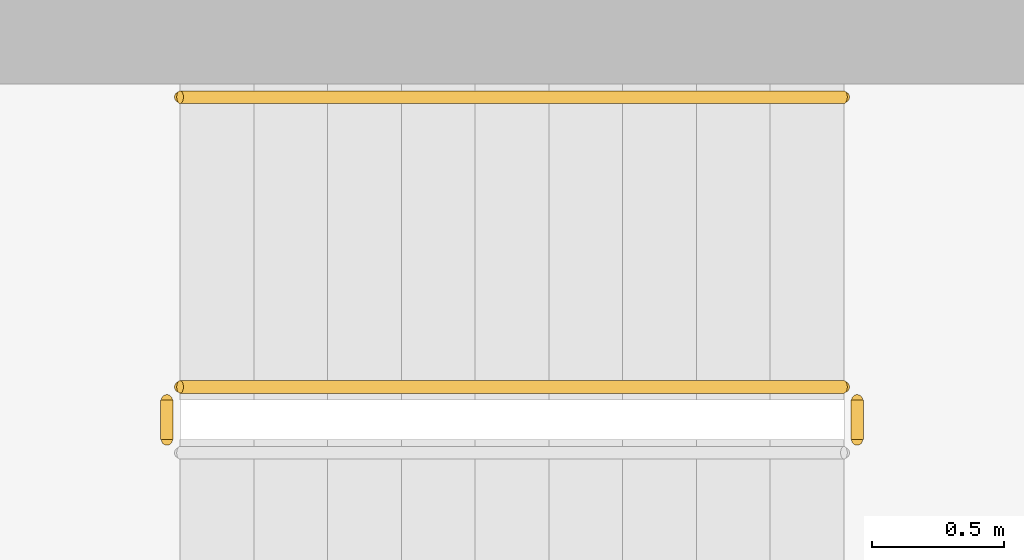
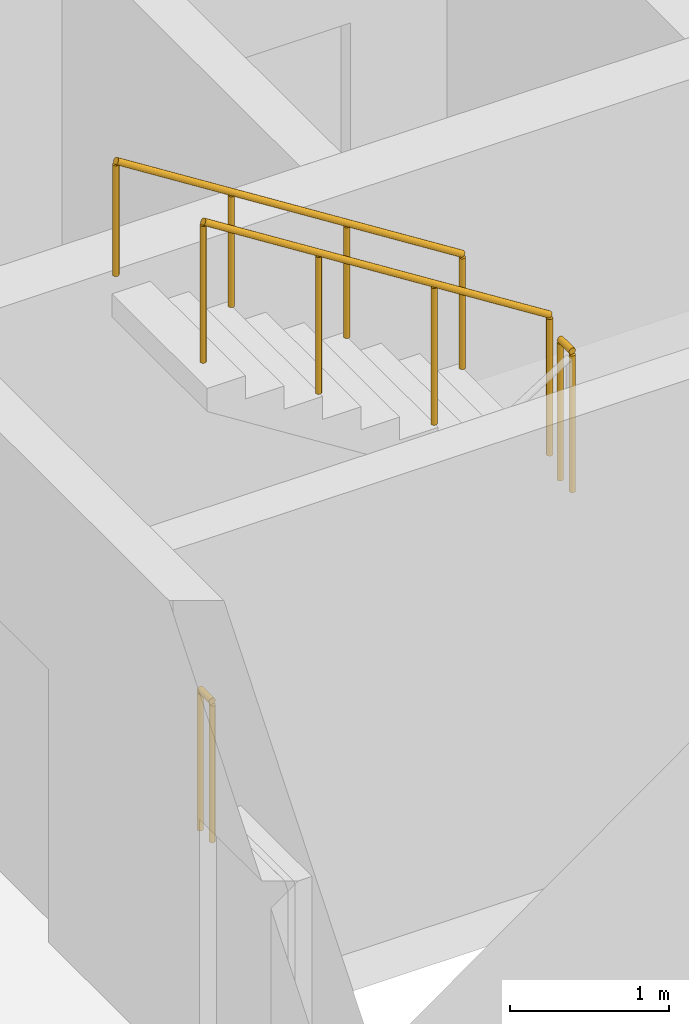
# One storey, part 15 of 17: 4 railings.
"""IFC4 building model written with IfcOpenShell, lengths in metres."""

from ifc_helpers import new_model, si_unit, direction, frame, origin, origin_2d, place, context, subcontext, project, spatial, circle, extrude, material, type_object, element, save


model = new_model("IFC4")

# Units and contexts
model_context = context("Model", 3, precision=1e-05, world=origin(), true_north=direction((0.0, 1.0)))
body_context = subcontext(model_context, "Body", "Model", "MODEL_VIEW")
ifc_project = project(units=[si_unit("LENGTHUNIT", "METRE"), si_unit("AREAUNIT", "SQUARE_METRE"), si_unit("VOLUMEUNIT", "CUBIC_METRE"), si_unit("PLANEANGLEUNIT", "RADIAN"), si_unit("MASSUNIT", "GRAM", prefix="KILO")], contexts=[model_context])

# Site, building, storey
site_placement = place(None, origin())
site = spatial("IfcSite", under=ifc_project, at=site_placement, CompositionType="ELEMENT")
building_placement = place(site_placement, origin())
building = spatial("IfcBuilding", under=site, at=building_placement, Name="Ostrand Prow Hotel Tower", CompositionType="ELEMENT")
storey_placement = place(building_placement, frame((0.0, 0.0, 106.199951171875)))
storey = spatial("IfcBuildingStorey", under=building, at=storey_placement, Name="L25", CompositionType="ELEMENT", Elevation=106.199951171875)

# Railings
ifc_material_1 = material(Name="Painted steel", Category="steel")
railing_type_1 = type_object("IfcRailingType", Name="Stair guard 1100", PredefinedType="GUARDRAIL", material=ifc_material_1)
railing_1_placement = place(storey_placement, frame((59.77001953125, -11.699951171875, 1.775146484375)))
element("IfcRailing", 1, at=railing_1_placement, inside=storey, type_object=railing_type_1, Name="L25 ST2C stair guard 2", PredefinedType="GUARDRAIL", context=body_context, shape_type="SweptSolid", body=[
    extrude(circle(Radius=0.02392578125, at=origin_2d()), frame((0.0, 0.0, 1.076171875), z_axis=(0.0, 1.0, 0.0), x_axis=(-1.0, 0.0, 0.0)), (0.0, 0.0, 1.0), 0.14990234375),
    extrude(circle(Radius=0.02099609375, at=origin_2d()), origin(), (0.0, 0.0, 1.0), 1.052001953125),
    extrude(circle(Radius=0.02099609375, at=origin_2d()), frame((0.0, 0.14990234375, 0.0)), (0.0, 0.0, 1.0), 1.052001953125),
])
railing_2_placement = place(storey_placement, frame((59.719970703125, -11.5, 1.95263671875)))
element("IfcRailing", 2, at=railing_2_placement, inside=storey, type_object=railing_type_1, Name="L25 ST2C stair guard 3", PredefinedType="GUARDRAIL", context=body_context, shape_type="SweptSolid", body=[
    extrude(circle(Radius=0.02392578125, at=origin_2d()), frame((0.0, 0.0, 1.076171875), z_axis=(-0.84460694969, 0.0, 0.535386869969), x_axis=(0.0, -1.0, 0.0)), (0.0, 0.0, 1.0), 2.983642578125),
    extrude(circle(Radius=0.02099609375, at=origin_2d()), origin(), (0.0, 0.0, 1.0), 1.052001953125),
    extrude(circle(Radius=0.02099609375, at=origin_2d()), frame((-0.840087890625, 0.0, 0.532470703125)), (0.0, 0.0, 1.0), 1.052001953125),
    extrude(circle(Radius=0.02099609375, at=origin_2d()), frame((-1.679931640625, 0.0, 1.06494140625)), (0.0, 0.0, 1.0), 1.052001953125),
    extrude(circle(Radius=0.02099609375, at=origin_2d()), frame((-2.52001953125, 0.0, 1.597412109375)), (0.0, 0.0, 1.0), 1.052001953125),
])
railing_3_placement = place(storey_placement, frame((57.14990234375, -11.699951171875, 0.0)))
element("IfcRailing", 3, at=railing_3_placement, inside=storey, type_object=railing_type_1, Name="L25 ST2C stair guard 4", PredefinedType="GUARDRAIL", context=body_context, shape_type="SweptSolid", body=[
    extrude(circle(Radius=0.02392578125, at=origin_2d()), frame((0.0, 0.0, 1.076171875), z_axis=(0.0, 1.0, 0.0), x_axis=(-1.0, 0.0, 0.0)), (0.0, 0.0, 1.0), 0.14990234375),
    extrude(circle(Radius=0.02099609375, at=origin_2d()), origin(), (0.0, 0.0, 1.0), 1.052001953125),
    extrude(circle(Radius=0.02099609375, at=origin_2d()), frame((0.0, 0.14990234375, 0.0)), (0.0, 0.0, 1.0), 1.052001953125),
])
ifc_material_2 = material(Name="Stainless steel", Category="steel")
railing_type_2 = type_object("IfcRailingType", Name="Stair handrail 900", PredefinedType="HANDRAIL", material=ifc_material_2)
railing_4_placement = place(storey_placement, frame((59.719970703125, -10.39990234375, 1.95263671875)))
element("IfcRailing", 4, at=railing_4_placement, inside=storey, type_object=railing_type_2, Name="L25 ST2C stair handrail 2", PredefinedType="HANDRAIL", context=body_context, shape_type="SweptSolid", body=[
    extrude(circle(Radius=0.02392578125, at=origin_2d()), frame((0.0, 0.0, 0.8759765625), z_axis=(-0.84460694969, 0.0, 0.535386869969), x_axis=(0.0, -1.0, 0.0)), (0.0, 0.0, 1.0), 2.983642578125),
    extrude(circle(Radius=0.02099609375, at=origin_2d()), origin(), (0.0, 0.0, 1.0), 0.851806640625),
    extrude(circle(Radius=0.02099609375, at=origin_2d()), frame((-0.840087890625, 0.0, 0.532470703125)), (0.0, 0.0, 1.0), 0.851806640625),
    extrude(circle(Radius=0.02099609375, at=origin_2d()), frame((-1.679931640625, 0.0, 1.06494140625)), (0.0, 0.0, 1.0), 0.851806640625),
    extrude(circle(Radius=0.02099609375, at=origin_2d()), frame((-2.52001953125, 0.0, 1.597412109375)), (0.0, 0.0, 1.0), 0.851806640625),
])

save(model, "model.ifc")
